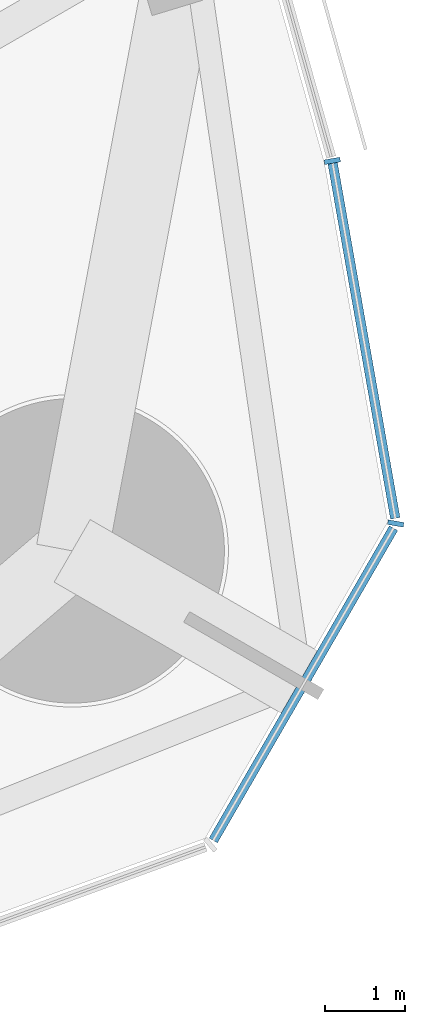
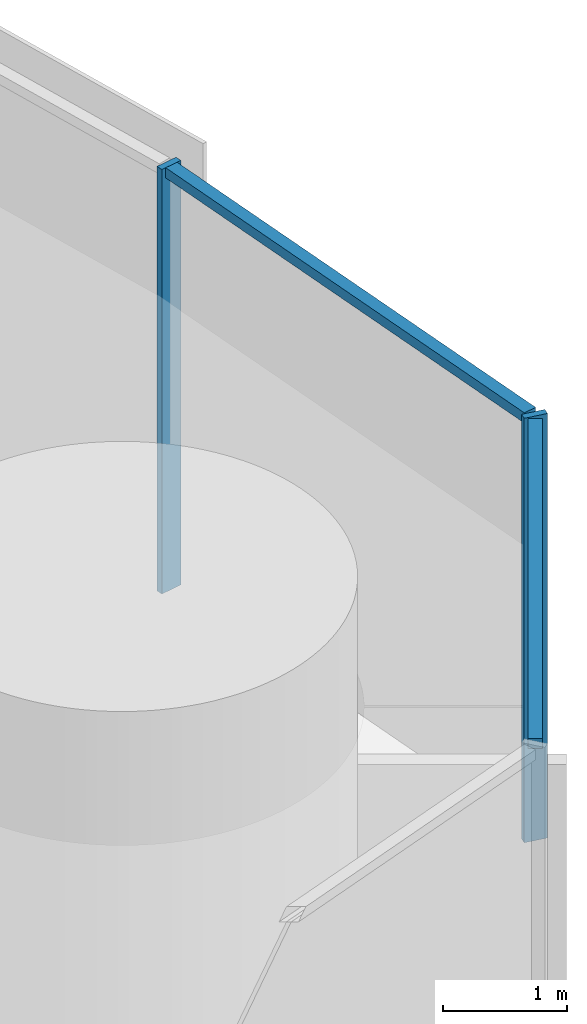
# One storey, part 9 of 19: 4 members, 1 element without a shape of its own.
"""IFC4 building model written with IfcOpenShell, lengths in metres."""

from ifc_helpers import new_model, si_unit, direction, frame, origin, origin_2d, place, context, subcontext, project, spatial, rectangle, extrude, material, material_profile, profile_set, type_object, element, aggregate, save


model = new_model("IFC4")

# Units and contexts
model_context = context("Model", 3, precision=1e-05, world=origin(), true_north=direction((0.0, 1.0)))
body_context = subcontext(model_context, "Body", "Model", "MODEL_VIEW")
ifc_project = project(units=[si_unit("LENGTHUNIT", "METRE"), si_unit("AREAUNIT", "SQUARE_METRE"), si_unit("VOLUMEUNIT", "CUBIC_METRE"), si_unit("PLANEANGLEUNIT", "RADIAN"), si_unit("MASSUNIT", "GRAM", prefix="KILO")], contexts=[model_context])

# Site, building, storey
site_placement = place(None, origin())
site = spatial("IfcSite", under=ifc_project, at=site_placement, CompositionType="ELEMENT")
building_placement = place(site_placement, origin())
building = spatial("IfcBuilding", under=site, at=building_placement, Name="Trefoil Bronze Tower", CompositionType="ELEMENT")
storey_placement = place(building_placement, frame((0.0, 0.0, 193.89990234375)))
storey = spatial("IfcBuildingStorey", under=building, at=storey_placement, Name="L44", CompositionType="ELEMENT", Elevation=193.89990234375)

# Curtain wall, members
ifc_material_1 = material(Name="Tinted solar-control glass", Category="glass")
curtain_wall_type = type_object("IfcCurtainWallType", Name="Bronze rounded corner curtain wall", PredefinedType="USERDEFINED", material=ifc_material_1)
curtain_wall_placement = place(storey_placement, origin())
curtain_wall = element("IfcCurtainWall", 1, at=curtain_wall_placement, inside=storey, type_object=curtain_wall_type, Name="CW-B L44 K1", ObjectType="CURTAIN WALL", PredefinedType="USERDEFINED")
ifc_material_2 = material(Name="Bronze-finish aluminium", Category="aluminium")
ifc_material_profile_1 = material_profile(ifc_material_2, rectangle(XDim=0.199951171875, YDim=0.06005859375, at=origin_2d()), Name="CW-B mullion")
ifc_profile_set_1 = profile_set([ifc_material_profile_1], Name="Bronze-finish aluminium")
member_type_1 = type_object("IfcMemberType", Name="Bronze rounded corner curtain wall mullion", PredefinedType="MULLION", material=ifc_profile_set_1)
member_1_placement = place(storey_placement, frame((32.616943359375, -16.158935546875, 0.0), z_axis=(0.0, 0.0, 1.0), x_axis=(-0.984807753012, 0.173648177667, 0.0)))
member_1 = element("IfcMember", 2, at=member_1_placement, type_object=member_type_1, Name="CW-B L44 K1 mullion 3", PredefinedType="MULLION", context=body_context, shape_type="SweptSolid", body=[
    extrude(rectangle(XDim=0.199951171875, YDim=0.06005859375, at=origin_2d()), origin(), (0.0, 0.0, 1.0), 4.18017578125),
])
member_2_placement = place(storey_placement, frame((31.824951171875, -11.63330078125, 0.0), z_axis=(0.0, 0.0, 1.0), x_axis=(-0.984807753012, -0.173648177667, 0.0)))
member_2 = element("IfcMember", 3, at=member_2_placement, type_object=member_type_1, Name="CW-B L44 K1 mullion 4", PredefinedType="MULLION", context=body_context, shape_type="SweptSolid", body=[
    extrude(rectangle(XDim=0.199951171875, YDim=0.06005859375, at=origin_2d()), origin(), (0.0, 0.0, 1.0), 4.18017578125),
])
ifc_material_3 = material(Name="Bronze-finish aluminium", Category="aluminium")
ifc_material_profile_2 = material_profile(ifc_material_3, rectangle(XDim=0.1201171875, YDim=0.10009765625, at=origin_2d()), Name="CW-B transom")
ifc_profile_set_2 = profile_set([ifc_material_profile_2], Name="Bronze-finish aluminium")
member_type_2 = type_object("IfcMemberType", Name="Bronze rounded corner curtain wall transom", PredefinedType="USERDEFINED", material=ifc_profile_set_2)
member_3_placement = place(storey_placement, frame((30.33984375, -20.114990234375, 4.130126953125), z_axis=(0.500007335828, 0.866021168401, 0.0), x_axis=(-0.866021168401, 0.500007335828, 0.0)))
member_3 = element("IfcMember", 4, at=member_3_placement, type_object=member_type_2, Name="CW-B L44 K1 transom 2", ObjectType="TRANSOM", PredefinedType="USERDEFINED", context=body_context, shape_type="SweptSolid", body=[
    extrude(rectangle(XDim=0.1201171875, YDim=0.10009765625, at=origin_2d()), origin(), (0.0, 0.0, 1.0), 4.50048828125),
])
member_4_placement = place(storey_placement, frame((32.611572265625, -16.0947265625, 4.130126953125), z_axis=(-0.173655350028, 0.984806488304, 0.0), x_axis=(-0.984806488304, -0.173655350028, 0.0)))
member_4 = element("IfcMember", 5, at=member_4_placement, type_object=member_type_2, Name="CW-B L44 K1 transom 3", ObjectType="TRANSOM", PredefinedType="USERDEFINED", context=body_context, shape_type="SweptSolid", body=[
    extrude(rectangle(XDim=0.1201171875, YDim=0.10009765625, at=origin_2d()), origin(), (0.0, 0.0, 1.0), 4.500244140625),
])
aggregate(curtain_wall, [member_1, member_2, member_3, member_4])

save(model, "model.ifc")
